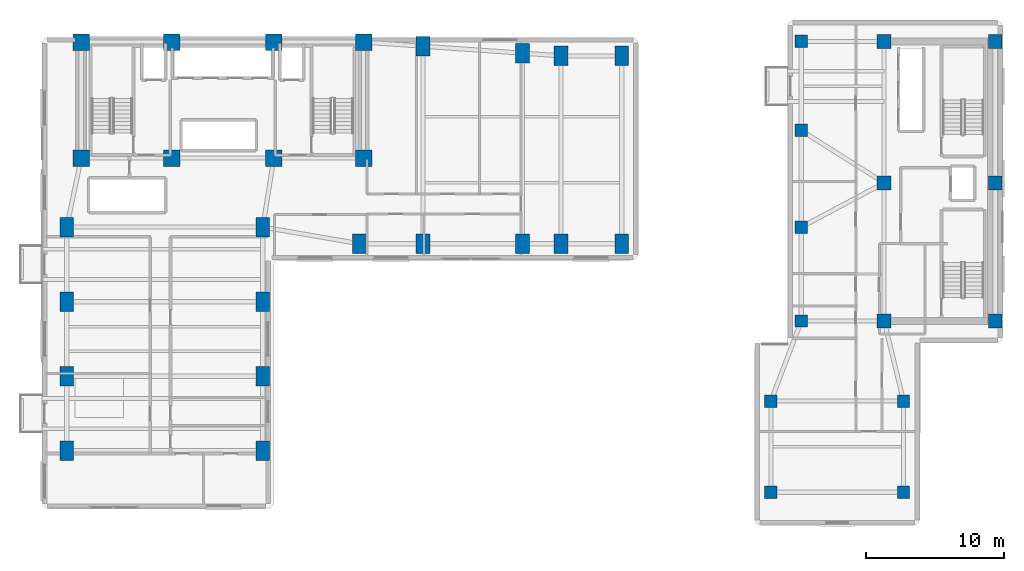
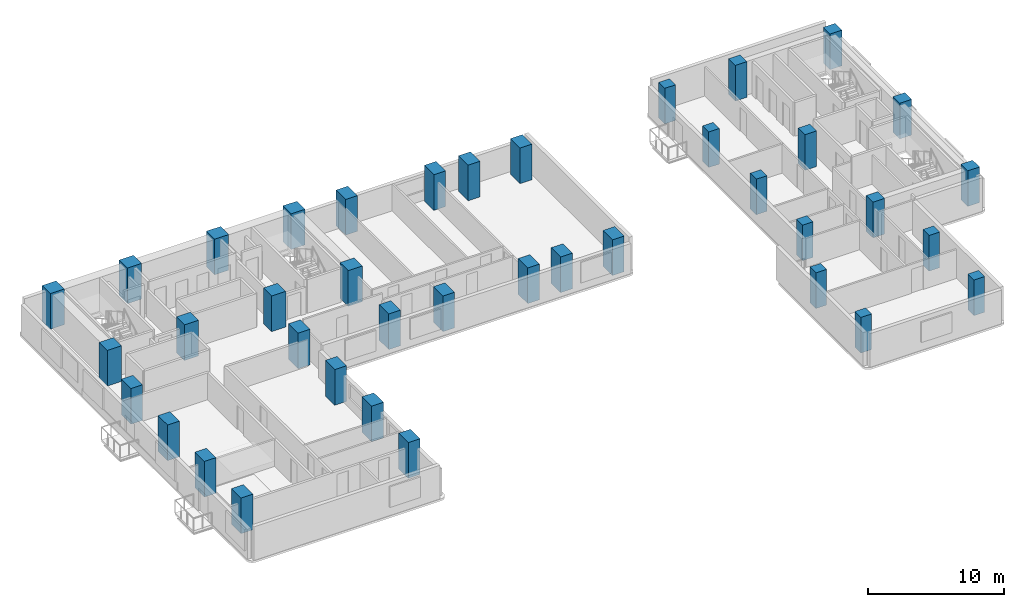
# One storey, part 1 of 16: 39 columns.
"""IFC4 building model written with IfcOpenShell, lengths in metres."""

from ifc_helpers import new_model, si_unit, direction, frame, origin, origin_2d, place, context, subcontext, project, spatial, rectangle, extrude, material, material_profile, profile_set, type_object, element, save


model = new_model("IFC4")

# Units and contexts
model_context = context("Model", 3, precision=1e-05, world=origin(), true_north=direction((0.0, 1.0)))
body_context = subcontext(model_context, "Body", "Model", "MODEL_VIEW")
ifc_project = project(units=[si_unit("LENGTHUNIT", "METRE"), si_unit("AREAUNIT", "SQUARE_METRE"), si_unit("VOLUMEUNIT", "CUBIC_METRE"), si_unit("PLANEANGLEUNIT", "RADIAN"), si_unit("MASSUNIT", "GRAM", prefix="KILO")], contexts=[model_context])

# Site, building, storey
site_placement = place(None, origin())
site = spatial("IfcSite", under=ifc_project, at=site_placement, CompositionType="ELEMENT")
building_placement = place(site_placement, origin())
building = spatial("IfcBuilding", under=site, at=building_placement, Name="Kuzgunbayir Cultural Tower", CompositionType="ELEMENT")
storey_placement = place(building_placement, frame((0.0, 0.0, 66.0)))
storey = spatial("IfcBuildingStorey", under=building, at=storey_placement, Name="L18", CompositionType="ELEMENT", Elevation=66.0)

# Columns
ifc_material = material(Name="Concrete C60/75", Category="concrete")
ifc_material_profile_1 = material_profile(ifc_material, rectangle(XDim=1.199951171875, YDim=1.199951171875, at=origin_2d()), Name="RC 1200x1200")
ifc_profile_set_1 = profile_set([ifc_material_profile_1], Name="Concrete C60/75")
column_type_1 = type_object("IfcColumnType", Name="COL-CORE-1200", PredefinedType="COLUMN", material=ifc_profile_set_1)
for number, where, z_axis, x_axis, name in (
    (1, (6.449951171875, 33.800048828125, 0.0), (0.0, 0.0, 1.0), (1.0, 0.0, 0.0), "L18 T1 Core Boundary Column CC1-1"),
    (2, (13.0, 33.800048828125, 0.0), (0.0, 0.0, 1.0), (1.0, 0.0, 0.0), "L18 T1 Core Boundary Column CC1-2"),
    (3, (20.39990234375, 33.800048828125, 0.0), (0.0, 0.0, 1.0), (1.0, 0.0, 0.0), "L18 T1 Core Boundary Column CC1-3"),
    (4, (26.89990234375, 33.800048828125, 0.0), (0.0, 0.0, 1.0), (1.0, 0.0, 0.0), "L18 T1 Core Boundary Column CC1-4"),
    (5, (6.449951171875, 42.199951171875, 0.0), (0.0, 0.0, 1.0), (1.0, 0.0, 0.0), "L18 T1 Core Boundary Column CC1-5"),
    (6, (13.0, 42.199951171875, 0.0), (0.0, 0.0, 1.0), (1.0, 0.0, 0.0), "L18 T1 Core Boundary Column CC1-6"),
    (7, (20.39990234375, 42.199951171875, 0.0), (0.0, 0.0, 1.0), (1.0, 0.0, 0.0), "L18 T1 Core Boundary Column CC1-7"),
    (8, (26.89990234375, 42.199951171875, 0.0), (0.0, 0.0, 1.0), (1.0, 0.0, 0.0), "L18 T1 Core Boundary Column CC1-8"),
):
    element("IfcColumn", number, at=place(storey_placement, frame(where, z_axis=z_axis, x_axis=x_axis)), inside=storey, type_object=column_type_1, Name=name, PredefinedType="COLUMN", context=body_context, shape_type="SweptSolid", body=[
        extrude(rectangle(XDim=1.199951171875, YDim=1.199951171875, at=origin_2d()), origin(), (0.0, 0.0, 1.0), 3.199951171875),
    ])
ifc_material_profile_2 = material_profile(ifc_material, rectangle(XDim=1.0, YDim=1.39990234375, at=origin_2d()), Name="RC 1400x1000")
ifc_profile_set_2 = profile_set([ifc_material_profile_2], Name="Concrete C60/75")
column_type_2 = type_object("IfcColumnType", Name="COL-T1-1400x1000", PredefinedType="COLUMN", material=ifc_profile_set_2)
for number, where, z_axis, x_axis, name in (
    (9, (5.39990234375, 12.60009765625, 0.0), (0.0, 0.0, 1.0), (1.0, 0.0, 0.0), "L18 Tower 1 Wing A Column T1A-W-1"),
    (10, (19.60009765625, 12.60009765625, 0.0), (0.0, 0.0, 1.0), (1.0, 0.0, 0.0), "L18 Tower 1 Wing A Column T1A-E-1"),
    (11, (5.39990234375, 18.0, 0.0), (0.0, 0.0, 1.0), (1.0, 0.0, 0.0), "L18 Tower 1 Wing A Column T1A-W-2"),
    (12, (19.60009765625, 18.0, 0.0), (0.0, 0.0, 1.0), (1.0, 0.0, 0.0), "L18 Tower 1 Wing A Column T1A-E-2"),
    (13, (5.39990234375, 23.39990234375, 0.0), (0.0, 0.0, 1.0), (1.0, 0.0, 0.0), "L18 Tower 1 Wing A Column T1A-W-3"),
    (14, (19.60009765625, 23.39990234375, 0.0), (0.0, 0.0, 1.0), (1.0, 0.0, 0.0), "L18 Tower 1 Wing A Column T1A-E-3"),
    (15, (5.39990234375, 28.800048828125, 0.0), (0.0, 0.0, 1.0), (1.0, 0.0, 0.0), "L18 Tower 1 Wing A Column T1A-W-4"),
    (16, (19.60009765625, 28.800048828125, 0.0), (0.0, 0.0, 1.0), (1.0, 0.0, 0.0), "L18 Tower 1 Wing A Column T1A-E-4"),
    (17, (26.60009765625, 27.60009765625, 0.0), (0.0, 0.0, 1.0), (1.0, 0.0, 0.0), "L18 Tower 1 Wing B Column T1B-1-1"),
    (18, (31.199951171875, 27.60009765625, 0.0), (0.0, 0.0, 1.0), (1.0, 0.0, 0.0), "L18 Tower 1 Wing B Column T1B-2-1"),
    (19, (31.199951171875, 41.89990234375, 0.0), (0.0, 0.0, 1.0), (1.0, 0.0, 0.0), "L18 Tower 1 Wing B Column T1B-2-2"),
    (20, (38.39990234375, 27.60009765625, 0.0), (0.0, 0.0, 1.0), (1.0, 0.0, 0.0), "L18 Tower 1 Wing B Column T1B-3-1"),
    (21, (38.39990234375, 41.39990234375, 0.0), (0.0, 0.0, 1.0), (1.0, 0.0, 0.0), "L18 Tower 1 Wing B Column T1B-3-2"),
    (22, (41.199951171875, 27.60009765625, 0.0), (0.0, 0.0, 1.0), (1.0, 0.0, 0.0), "L18 Tower 1 Wing B Column T1B-4-1"),
    (23, (41.199951171875, 41.199951171875, 0.0), (0.0, 0.0, 1.0), (1.0, 0.0, 0.0), "L18 Tower 1 Wing B Column T1B-4-2"),
    (24, (45.60009765625, 27.60009765625, 0.0), (0.0, 0.0, 1.0), (1.0, 0.0, 0.0), "L18 Tower 1 Wing B Column T1B-5-1"),
    (25, (45.60009765625, 41.199951171875, 0.0), (0.0, 0.0, 1.0), (1.0, 0.0, 0.0), "L18 Tower 1 Wing B Column T1B-5-2"),
):
    element("IfcColumn", number, at=place(storey_placement, frame(where, z_axis=z_axis, x_axis=x_axis)), inside=storey, type_object=column_type_2, Name=name, PredefinedType="COLUMN", context=body_context, shape_type="SweptSolid", body=[
        extrude(rectangle(XDim=1.0, YDim=1.39990234375, at=origin_2d()), origin(), (0.0, 0.0, 1.0), 3.199951171875),
    ])
ifc_material_profile_3 = material_profile(ifc_material, rectangle(XDim=1.0, YDim=1.0, at=origin_2d()), Name="RC 1000x1000")
ifc_profile_set_3 = profile_set([ifc_material_profile_3], Name="Concrete C60/75")
column_type_3 = type_object("IfcColumnType", Name="COL-T2-1000", PredefinedType="COLUMN", material=ifc_profile_set_3)
for number, where, z_axis, x_axis, name in (
    (26, (64.60009765625, 22.0, 0.0), (0.0, 0.0, 1.0), (1.0, 0.0, 0.0), "L18 T2 Core Boundary Column CC2-1"),
    (27, (72.64990234375, 22.0, 0.0), (0.0, 0.0, 1.0), (1.0, 0.0, 0.0), "L18 T2 Core Boundary Column CC2-2"),
    (28, (64.60009765625, 32.0, 0.0), (0.0, 0.0, 1.0), (1.0, 0.0, 0.0), "L18 T2 Core Boundary Column CC2-3"),
    (29, (72.64990234375, 32.0, 0.0), (0.0, 0.0, 1.0), (1.0, 0.0, 0.0), "L18 T2 Core Boundary Column CC2-4"),
    (30, (64.60009765625, 42.25, 0.0), (0.0, 0.0, 1.0), (1.0, 0.0, 0.0), "L18 T2 Core Boundary Column CC2-5"),
    (31, (72.64990234375, 42.25, 0.0), (0.0, 0.0, 1.0), (1.0, 0.0, 0.0), "L18 T2 Core Boundary Column CC2-6"),
):
    element("IfcColumn", number, at=place(storey_placement, frame(where, z_axis=z_axis, x_axis=x_axis)), inside=storey, type_object=column_type_3, Name=name, PredefinedType="COLUMN", context=body_context, shape_type="SweptSolid", body=[
        extrude(rectangle(XDim=1.0, YDim=1.0, at=origin_2d()), origin(), (0.0, 0.0, 1.0), 3.199951171875),
    ])
ifc_material_profile_4 = material_profile(ifc_material, rectangle(XDim=0.89990234375, YDim=0.89990234375, at=origin_2d()), Name="RC 900x900")
ifc_profile_set_4 = profile_set([ifc_material_profile_4], Name="Concrete C60/75")
column_type_4 = type_object("IfcColumnType", Name="COL-T2-900", PredefinedType="COLUMN", material=ifc_profile_set_4)
for number, where, z_axis, x_axis, name in (
    (32, (58.60009765625, 22.0, 0.0), (0.0, 0.0, 1.0), (1.0, 0.0, 0.0), "L18 Companion Wing A Column T2A-W-1"),
    (33, (58.60009765625, 28.800048828125, 0.0), (0.0, 0.0, 1.0), (1.0, 0.0, 0.0), "L18 Companion Wing A Column T2A-W-2"),
    (34, (58.60009765625, 35.800048828125, 0.0), (0.0, 0.0, 1.0), (1.0, 0.0, 0.0), "L18 Companion Wing A Column T2A-W-3"),
    (35, (58.60009765625, 42.25, 0.0), (0.0, 0.0, 1.0), (1.0, 0.0, 0.0), "L18 Companion Wing A Column T2A-W-4"),
    (36, (56.39990234375, 9.60009765625, 0.0), (0.0, 0.0, 1.0), (1.0, 0.0, 0.0), "L18 Companion Wing B Column T2B-1-1"),
    (37, (56.39990234375, 16.199951171875, 0.0), (0.0, 0.0, 1.0), (1.0, 0.0, 0.0), "L18 Companion Wing B Column T2B-1-2"),
    (38, (66.0, 9.60009765625, 0.0), (0.0, 0.0, 1.0), (1.0, 0.0, 0.0), "L18 Companion Wing B Column T2B-2-1"),
    (39, (66.0, 16.199951171875, 0.0), (0.0, 0.0, 1.0), (1.0, 0.0, 0.0), "L18 Companion Wing B Column T2B-2-2"),
):
    element("IfcColumn", number, at=place(storey_placement, frame(where, z_axis=z_axis, x_axis=x_axis)), inside=storey, type_object=column_type_4, Name=name, PredefinedType="COLUMN", context=body_context, shape_type="SweptSolid", body=[
        extrude(rectangle(XDim=0.89990234375, YDim=0.89990234375, at=origin_2d()), origin(), (0.0, 0.0, 1.0), 3.199951171875),
    ])

save(model, "model.ifc")
